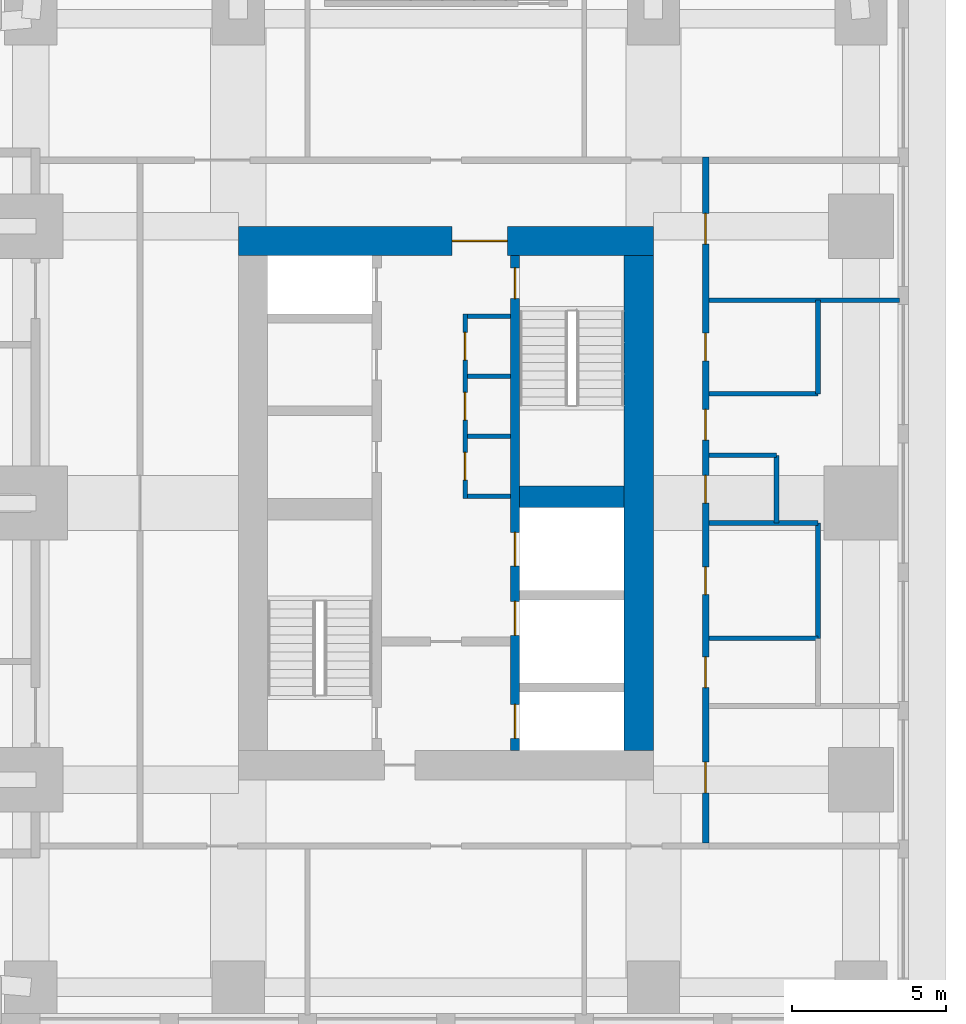
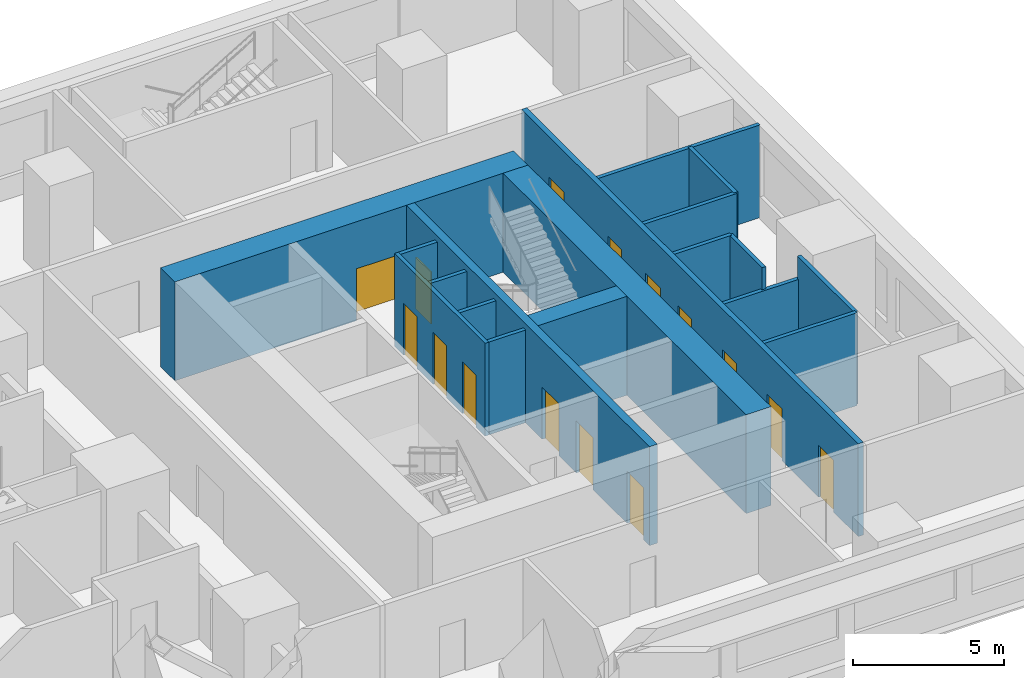
# One storey, part 11 of 16: 18 walls, 15 doors, 15 openings.
"""IFC4 building model written with IfcOpenShell, lengths in metres."""

import ifcopenshell
import ifcopenshell.guid

model = None  # the IFC model being written
_history = None  # IfcOwnerHistory: only IFC2X3 demands one
_inside = {}  # id of a spatial element -> (the spatial element, [elements in it])
_under = {}  # id of a project, library or spatial element -> (it, [spatial elements below it])
_declared = {}  # id of a project -> (the project, [libraries it declares])
_typed = {}  # id of a type object -> (the type object, [elements of that type])
_made_of = {}  # id of a material, layer set ... -> (it, [elements and type objects made of it])


def new_model(schema):
    """Start an empty IFC model of exactly this schema.

    Asked for "IFC4X3", IfcOpenShell would pick the latest addendum, in which some entities
    have other attributes; the version numbers below select the first issue.
    IFC2X3 requires an IfcOwnerHistory on every rooted entity: one is made here for all.
    """
    global model, _history
    if schema == "IFC4X3":
        model = ifcopenshell.file(schema_version=(4, 3, 0, 0))
    else:
        model = ifcopenshell.file(schema=schema)
    _inside.clear()
    _under.clear()
    _declared.clear()
    _typed.clear()
    _made_of.clear()
    _history = None
    if model.schema == "IFC2X3":
        org = make("IfcOrganization", Name="unknown")
        user = make(
            "IfcPersonAndOrganization",
            ThePerson=make("IfcPerson", FamilyName="unknown"),
            TheOrganization=org,
        )
        app = make(
            "IfcApplication",
            ApplicationDeveloper=org,
            Version="unknown",
            ApplicationFullName="unknown",
            ApplicationIdentifier="unknown",
        )
        _history = make(
            "IfcOwnerHistory",
            OwningUser=user,
            OwningApplication=app,
            ChangeAction="ADDED",
            CreationDate=0,
        )
    return model


def make(cls, **values):
    """One entity of the class cls with the attributes given. An attribute that is None is left unset."""
    return model.create_entity(
        cls, **{name: value for name, value in values.items() if value is not None}
    )


def rooted(cls, **values):
    """An entity with a GlobalId (a new one), such as an element, a storey or a relation."""
    return make(cls, GlobalId=ifcopenshell.guid.new(), OwnerHistory=_history, **values)


def si_unit(unit_type, name, prefix=None):
    """IfcSIUnit, for example si_unit("LENGTHUNIT", "METRE", prefix="MILLI")."""
    return make("IfcSIUnit", UnitType=unit_type, Prefix=prefix, Name=name)


def assignment(units):
    """IfcUnitAssignment: the units of a project."""
    return None if units is None else make("IfcUnitAssignment", Units=units)


def point(xyz):
    """IfcCartesianPoint."""
    return None if xyz is None else make("IfcCartesianPoint", Coordinates=xyz)


def direction(xyz):
    """IfcDirection."""
    return None if xyz is None else make("IfcDirection", DirectionRatios=xyz)


def frame(location, z_axis=None, x_axis=None):
    """IfcAxis2Placement3D, a coordinate frame: its origin and axes. An axis left out is left unset."""
    return make(
        "IfcAxis2Placement3D",
        Location=point(location),
        Axis=direction(z_axis),
        RefDirection=direction(x_axis),
    )


def frame_2d(location, x_axis=None):
    """IfcAxis2Placement2D, a coordinate frame in the plane: its origin and x axis."""
    return make(
        "IfcAxis2Placement2D", Location=point(location), RefDirection=direction(x_axis)
    )


def origin():
    """The frame at (0, 0, 0) with its axes left unset."""
    return frame((0.0, 0.0, 0.0))


def place(relative_to, where):
    """IfcLocalPlacement: puts the frame where relative to a parent placement (None: the world)."""
    return make(
        "IfcLocalPlacement", PlacementRelTo=relative_to, RelativePlacement=where
    )


def context(
    kind, dimensions, precision=None, world=None, true_north=None, identifier=None
):
    """IfcGeometricRepresentationContext, for example the 3D "Model" context."""
    return make(
        "IfcGeometricRepresentationContext",
        ContextIdentifier=identifier,
        ContextType=kind,
        CoordinateSpaceDimension=dimensions,
        Precision=precision,
        WorldCoordinateSystem=world,
        TrueNorth=true_north,
    )


def subcontext(parent, identifier, kind, view, scale=None):
    """IfcGeometricRepresentationSubContext, for example "Body" below "Model"."""
    return make(
        "IfcGeometricRepresentationSubContext",
        ContextIdentifier=identifier,
        ContextType=kind,
        ParentContext=parent,
        TargetScale=scale,
        TargetView=view,
    )


def project(units=None, contexts=None):
    """IfcProject with its units and contexts."""
    return rooted(
        "IfcProject",
        Name="project",
        RepresentationContexts=contexts,
        UnitsInContext=assignment(units),
    )


def spatial(cls, under=None, at=None, **own):
    """A site, building, storey or space (cls), placed at a placement, below another one or the project."""
    s = rooted(cls, ObjectPlacement=at, **own)
    if under is not None:
        _under.setdefault(under.id(), (under, []))[1].append(s)
    return s


def profile(cls, at=None, kind="AREA", **sizes):
    """A parametric profile (cls). Its sizes go by their IFC names, for example OverallWidth=200.0."""
    return make(cls, ProfileType=kind, Position=at, **sizes)


def rectangle(**sizes):
    """IfcRectangleProfileDef."""
    return profile("IfcRectangleProfileDef", **sizes)


def extrude(swept, where, along, depth):
    """IfcExtrudedAreaSolid: the profile swept, set in the frame where, extruded along a direction by depth."""
    return make(
        "IfcExtrudedAreaSolid",
        SweptArea=swept,
        Position=where,
        ExtrudedDirection=direction(along),
        Depth=depth,
    )


def shape(context_of_items, identifier, shape_type, items):
    """IfcShapeRepresentation: the items that make up one representation, for example the "Body"."""
    return make(
        "IfcShapeRepresentation",
        ContextOfItems=context_of_items,
        RepresentationIdentifier=identifier,
        RepresentationType=shape_type,
        Items=items,
    )


def material(Name=None, Category=None):
    """IfcMaterial."""
    return make("IfcMaterial", Name=Name, Category=Category)


def layer(
    of_material, thickness, ventilated=None, Name=None, Category=None, Priority=None
):
    """IfcMaterialLayer: one layer of a wall or slab, of a material (None: an air gap)."""
    return make(
        "IfcMaterialLayer",
        Material=of_material,
        LayerThickness=thickness,
        IsVentilated=ventilated,
        Name=Name,
        Category=Category,
        Priority=Priority,
    )


def layer_set(layers, Name=None):
    """IfcMaterialLayerSet."""
    return make("IfcMaterialLayerSet", MaterialLayers=layers, LayerSetName=Name)


def made_of(thing, what):
    """Note that an element or type object is made of a material, layer set ...; save() writes the relation."""
    if what is not None:
        _made_of.setdefault(what.id(), (what, []))[1].append(thing)
    return thing


def type_object(cls, material=None, **own):
    """A type object (cls), such as IfcWallType, which elements share."""
    return made_of(rooted(cls, **own), material)


def element(
    cls,
    number,
    at=None,
    inside=None,
    cuts=None,
    type_object=None,
    material=None,
    context=None,
    identifier="Body",
    shape_type=None,
    held_by="IfcProductDefinitionShape",
    body=None,
    shapes=None,
    **own,
):
    """One element of the class cls, such as IfcWall. Its Tag is "e" and its number.

    at: its placement. inside: the storey or other place that contains it. cuts: it is an
    opening in that element (IfcRelVoidsElement). A single representation is given by context,
    identifier, shape_type and body (its items); several are given by shapes. held_by: the class
    of the entity that holds the representations. save() writes the other relations.
    """
    e = rooted(cls, Tag="e%d" % number, ObjectPlacement=at, **own)
    if body is not None:
        shapes = [shape(context, identifier, shape_type, body)]
    if shapes is not None:
        e.Representation = make(held_by, Representations=shapes)
    if inside is not None:
        _inside.setdefault(inside.id(), (inside, []))[1].append(e)
    if cuts is not None:
        rooted(
            "IfcRelVoidsElement", RelatingBuildingElement=cuts, RelatedOpeningElement=e
        )
    if type_object is not None:
        _typed.setdefault(type_object.id(), (type_object, []))[1].append(e)
    return made_of(e, material)


def fill(opening, filler):
    """IfcRelFillsElement: the door or window that sits in an opening."""
    return rooted(
        "IfcRelFillsElement",
        RelatingOpeningElement=opening,
        RelatedBuildingElement=filler,
    )


def aggregate(whole, parts):
    """IfcRelAggregates: a whole, such as a stair, and the parts it consists of."""
    return rooted("IfcRelAggregates", RelatingObject=whole, RelatedObjects=parts)


def save(model, path):
    """Write the relations noted so far, then the file.

    IfcRelAggregates (storeys below a building ...), IfcRelContainedInSpatialStructure (elements
    in a storey), IfcRelDefinesByType, IfcRelAssociatesMaterial and IfcRelDeclares: one each for
    every whole, place, type object, material and project.
    """
    for whole, parts in _under.values():
        aggregate(whole, parts)
    for where, things in _inside.values():
        rooted(
            "IfcRelContainedInSpatialStructure",
            RelatedElements=things,
            RelatingStructure=where,
        )
    for kind, things in _typed.values():
        rooted("IfcRelDefinesByType", RelatedObjects=things, RelatingType=kind)
    for what, things in _made_of.values():
        rooted("IfcRelAssociatesMaterial", RelatedObjects=things, RelatingMaterial=what)
    for by, libraries in _declared.values():
        rooted("IfcRelDeclares", RelatingContext=by, RelatedDefinitions=libraries)
    model.write(path)


model = new_model("IFC4")

# Units and contexts
model_context = context("Model", 3, precision=1e-05, world=origin(), true_north=direction((0.0, 1.0)))
body_context = subcontext(model_context, "Body", "Model", "MODEL_VIEW")
ifc_project = project(units=[si_unit("LENGTHUNIT", "METRE"), si_unit("AREAUNIT", "SQUARE_METRE"), si_unit("VOLUMEUNIT", "CUBIC_METRE"), si_unit("PLANEANGLEUNIT", "RADIAN"), si_unit("MASSUNIT", "GRAM", prefix="KILO")], contexts=[model_context])

# Site, building, storey
site_placement = place(None, origin())
site = spatial("IfcSite", under=ifc_project, at=site_placement, CompositionType="ELEMENT")
building_placement = place(site_placement, origin())
building = spatial("IfcBuilding", under=site, at=building_placement, Name="Namib Vertical Campus", CompositionType="ELEMENT")
storey_placement = place(building_placement, frame((0.0, 0.0, 121.0)))
storey = spatial("IfcBuildingStorey", under=building, at=storey_placement, Name="L28", CompositionType="ELEMENT", Elevation=121.0)

# Wall, openings, doors
ifc_material_1 = material(Name="Concrete C60/75", Category="concrete")
ifc_layer_1 = layer(ifc_material_1, 0.300048828125)
ifc_layer_set_1 = layer_set([ifc_layer_1], Name="Concrete C60/75")
wall_type_1 = type_object("IfcWallType", Name="Core inner wall 300", PredefinedType="SHEAR", material=ifc_layer_set_1)
wall_1_placement = place(storey_placement, frame((83.25, 12.199951171875, 0.0), z_axis=(0.0, 0.0, 1.0), x_axis=(0.0, 1.0, 0.0)))
wall_1 = element("IfcWall", 1, at=wall_1_placement, inside=storey, type_object=wall_type_1, Name="Core inner wall B L28 W2", PredefinedType="SHEAR", context=body_context, shape_type="SweptSolid", body=[
    extrude(rectangle(XDim=16.10009765625, YDim=0.300048828125, at=frame_2d((8.050048828125, 0.0))), origin(), (0.0, 0.0, 1.0), 4.0),
])
opening_1_placement = place(wall_1_placement, frame((14.699951171875, 0.0, 0.0)))
opening_1 = element("IfcOpeningElement", 2, at=opening_1_placement, cuts=wall_1, Name="Opening FD1", PredefinedType="OPENING", context=body_context, shape_type="SweptSolid", body=[
    extrude(rectangle(XDim=1.0, YDim=2.10009765625, at=frame_2d((0.5, 1.050048828125))), frame((0.0, 0.159912109375, 0.0), z_axis=(0.0, -1.0, 0.0), x_axis=(1.0, 0.0, 0.0)), (0.0, 0.0, 1.0), 0.320068359375),
])
opening_2_placement = place(wall_1_placement, frame((0.39990234375, 0.0, 0.0)))
opening_2 = element("IfcOpeningElement", 3, at=opening_2_placement, cuts=wall_1, Name="Opening LD1", PredefinedType="OPENING", context=body_context, shape_type="SweptSolid", body=[
    extrude(rectangle(XDim=1.10009765625, YDim=2.10009765625, at=frame_2d((0.550048828125, 1.050048828125))), frame((0.0, 0.159912109375, 0.0), z_axis=(0.0, -1.0, 0.0), x_axis=(1.0, 0.0, 0.0)), (0.0, 0.0, 1.0), 0.320068359375),
])
opening_3_placement = place(wall_1_placement, frame((3.75, 0.0, 0.0)))
opening_3 = element("IfcOpeningElement", 4, at=opening_3_placement, cuts=wall_1, Name="Opening LD1", PredefinedType="OPENING", context=body_context, shape_type="SweptSolid", body=[
    extrude(rectangle(XDim=1.10009765625, YDim=2.10009765625, at=frame_2d((0.550048828125, 1.050048828125))), frame((0.0, 0.159912109375, 0.0), z_axis=(0.0, -1.0, 0.0), x_axis=(1.0, 0.0, 0.0)), (0.0, 0.0, 1.0), 0.320068359375),
])
opening_4_placement = place(wall_1_placement, frame((6.0, 0.0, 0.0)))
opening_4 = element("IfcOpeningElement", 5, at=opening_4_placement, cuts=wall_1, Name="Opening LD1", PredefinedType="OPENING", context=body_context, shape_type="SweptSolid", body=[
    extrude(rectangle(XDim=1.10009765625, YDim=2.10009765625, at=frame_2d((0.550048828125, 1.050048828125))), frame((0.0, 0.159912109375, 0.0), z_axis=(0.0, -1.0, 0.0), x_axis=(1.0, 0.0, 0.0)), (0.0, 0.0, 1.0), 0.320068359375),
])
ifc_material_2 = material(Name="Steel fire door", Category="steel")
door_type_1 = type_object("IfcDoorType", Name="Fire door 1000x2100", OperationType="SINGLE_SWING_RIGHT", PredefinedType="DOOR", material=ifc_material_2)
door_1_placement = place(opening_1_placement, frame((1.0, 0.0, 0.0), z_axis=(0.0, 0.0, 1.0), x_axis=(-1.0, 0.0, 0.0)))
door_1 = element("IfcDoor", 6, at=door_1_placement, inside=storey, type_object=door_type_1, Name="Stair door FD1 B L28 S2", OperationType="SINGLE_SWING_LEFT", OverallHeight=2.10009765625, OverallWidth=1.0, PredefinedType="DOOR", context=body_context, shape_type="SweptSolid", body=[
    extrude(rectangle(XDim=1.0, YDim=2.10009765625, at=frame_2d((0.5, 1.050048828125))), frame((0.0, 0.02490234375, 0.0), z_axis=(0.0, -1.0, 0.0), x_axis=(1.0, 0.0, 0.0)), (0.0, 0.0, 1.0), 0.050048828125),
])
fill(opening_1, door_1)
ifc_material_3 = material(Name="Stainless steel lift door", Category="steel")
door_type_2 = type_object("IfcDoorType", Name="Lift landing door 1100x2100", OperationType="DOUBLE_DOOR_SLIDING", PredefinedType="DOOR", material=ifc_material_3)
door_2_placement = place(opening_2_placement, origin())
door_2 = element("IfcDoor", 7, at=door_2_placement, inside=storey, type_object=door_type_2, Name="Lift landing door LD1 B-FL1 L28", OperationType="DOUBLE_DOOR_SLIDING", OverallHeight=2.10009765625, OverallWidth=1.10009765625, PredefinedType="DOOR", context=body_context, shape_type="SweptSolid", body=[
    extrude(rectangle(XDim=1.10009765625, YDim=2.10009765625, at=frame_2d((0.550048828125, 1.050048828125))), frame((0.0, 0.02490234375, 0.0), z_axis=(0.0, -1.0, 0.0), x_axis=(1.0, 0.0, 0.0)), (0.0, 0.0, 1.0), 0.050048828125),
])
fill(opening_2, door_2)
door_3_placement = place(opening_3_placement, origin())
door_3 = element("IfcDoor", 8, at=door_3_placement, inside=storey, type_object=door_type_2, Name="Lift landing door LD1 B-P4 L28", OperationType="DOUBLE_DOOR_SLIDING", OverallHeight=2.10009765625, OverallWidth=1.10009765625, PredefinedType="DOOR", context=body_context, shape_type="SweptSolid", body=[
    extrude(rectangle(XDim=1.10009765625, YDim=2.10009765625, at=frame_2d((0.550048828125, 1.050048828125))), frame((0.0, 0.02490234375, 0.0), z_axis=(0.0, -1.0, 0.0), x_axis=(1.0, 0.0, 0.0)), (0.0, 0.0, 1.0), 0.050048828125),
])
fill(opening_3, door_3)
door_4_placement = place(opening_4_placement, origin())
door_4 = element("IfcDoor", 9, at=door_4_placement, inside=storey, type_object=door_type_2, Name="Lift landing door LD1 B-P5 L28", OperationType="DOUBLE_DOOR_SLIDING", OverallHeight=2.10009765625, OverallWidth=1.10009765625, PredefinedType="DOOR", context=body_context, shape_type="SweptSolid", body=[
    extrude(rectangle(XDim=1.10009765625, YDim=2.10009765625, at=frame_2d((0.550048828125, 1.050048828125))), frame((0.0, 0.02490234375, 0.0), z_axis=(0.0, -1.0, 0.0), x_axis=(1.0, 0.0, 0.0)), (0.0, 0.0, 1.0), 0.050048828125),
])
fill(opening_4, door_4)

# Walls
ifc_material_4 = material(Name="Concrete C60/75", Category="concrete")
ifc_layer_2 = layer(ifc_material_4, 0.699951171875)
ifc_layer_set_2 = layer_set([ifc_layer_2], Name="Concrete C60/75")
wall_type_2 = type_object("IfcWallType", Name="Core shear wall 700", PredefinedType="SHEAR", material=ifc_layer_set_2)
wall_2_placement = place(storey_placement, frame((83.39990234375, 20.449951171875, 0.0), z_axis=(0.0, 0.0, 1.0), x_axis=(1.0, 0.0, 0.0)))
element("IfcWall", 10, at=wall_2_placement, inside=storey, type_object=wall_type_2, Name="Core shear wall B L28 W7", PredefinedType="SHEAR", context=body_context, shape_type="SweptSolid", body=[
    extrude(rectangle(XDim=3.400146484375, YDim=0.699951171875, at=frame_2d((1.7001953125, 0.0))), origin(), (0.0, 0.0, 1.0), 4.0),
])
ifc_material_5 = material(Name="Concrete C60/75", Category="concrete")
ifc_layer_3 = layer(ifc_material_5, 0.949951171875)
ifc_layer_set_3 = layer_set([ifc_layer_3], Name="Concrete C60/75")
wall_type_3 = type_object("IfcWallType", Name="Core wall 950", PredefinedType="SHEAR", material=ifc_layer_set_3)
wall_3_placement = place(storey_placement, frame((87.27490234375, 12.199951171875, 0.0), z_axis=(0.0, 0.0, 1.0), x_axis=(0.0, 1.0, 0.0)))
element("IfcWall", 11, at=wall_3_placement, inside=storey, type_object=wall_type_3, Name="Core wall B L28 2", PredefinedType="SHEAR", context=body_context, shape_type="SweptSolid", body=[
    extrude(rectangle(XDim=16.10009765625, YDim=0.949951171875, at=frame_2d((8.050048828125, 0.0))), origin(), (0.0, 0.0, 1.0), 4.0),
])

# Wall, opening, door
wall_4_placement = place(storey_placement, frame((87.75, 28.77490234375, 0.0), z_axis=(0.0, 0.0, 1.0), x_axis=(-1.0, 0.0, 0.0)))
wall_4 = element("IfcWall", 12, at=wall_4_placement, inside=storey, type_object=wall_type_3, Name="Core wall B L28 3", PredefinedType="SHEAR", context=body_context, shape_type="SweptSolid", body=[
    extrude(rectangle(XDim=13.5, YDim=0.949951171875, at=frame_2d((6.75, 0.0))), origin(), (0.0, 0.0, 1.0), 4.0),
])
opening_5_placement = place(wall_4_placement, frame((4.75, 0.0, 0.0)))
opening_5 = element("IfcOpeningElement", 13, at=opening_5_placement, cuts=wall_4, Name="Opening FD2", PredefinedType="OPENING", context=body_context, shape_type="SweptSolid", body=[
    extrude(rectangle(XDim=1.800048828125, YDim=2.10009765625, at=frame_2d((0.89990234375, 1.050048828125))), frame((0.0, 0.48486328125, 0.0), z_axis=(0.0, -1.0, 0.0), x_axis=(1.0, 0.0, 0.0)), (0.0, 0.0, 1.0), 0.969970703125),
])
ifc_material_6 = material(Name="Steel fire door", Category="steel")
door_type_3 = type_object("IfcDoorType", Name="Fire door double 1800x2100", OperationType="DOUBLE_DOOR_SINGLE_SWING", PredefinedType="DOOR", material=ifc_material_6)
door_5_placement = place(opening_5_placement, origin())
door_5 = element("IfcDoor", 14, at=door_5_placement, inside=storey, type_object=door_type_3, Name="Lift lobby door FD2 B L28", OperationType="DOUBLE_DOOR_SINGLE_SWING", OverallHeight=2.10009765625, OverallWidth=1.800048828125, PredefinedType="DOOR", context=body_context, shape_type="SweptSolid", body=[
    extrude(rectangle(XDim=1.800048828125, YDim=2.10009765625, at=frame_2d((0.89990234375, 1.050048828125))), frame((0.0, 0.02490234375, 0.0), z_axis=(0.0, -1.0, 0.0), x_axis=(1.0, 0.0, 0.0)), (0.0, 0.0, 1.0), 0.050048828125),
])
fill(opening_5, door_5)

# Wall, openings, doors
ifc_material_7 = material(Name="Concrete masonry", Category="masonry")
ifc_layer_4 = layer(ifc_material_7, 0.199951171875)
ifc_layer_set_4 = layer_set([ifc_layer_4], Name="Corridor wall 200")
wall_type_4 = type_object("IfcWallType", Name="Corridor wall 200", PredefinedType="SOLIDWALL", material=ifc_layer_set_4)
wall_5_placement = place(storey_placement, frame((89.449951171875, 9.199951171875, 0.0), z_axis=(0.0, 0.0, 1.0), x_axis=(0.0, 1.0, 0.0)))
wall_5 = element("IfcWall", 15, at=wall_5_placement, inside=storey, type_object=wall_type_4, Name="Corridor wall B L28 CE", PredefinedType="SOLIDWALL", context=body_context, shape_type="SweptSolid", body=[
    extrude(rectangle(XDim=22.300048828125, YDim=0.199951171875, at=frame_2d((11.14990234375, 0.0))), origin(), (0.0, 0.0, 1.0), 3.75),
])
opening_6_placement = place(wall_5_placement, frame((1.625, 0.0, 0.0)))
opening_6 = element("IfcOpeningElement", 16, at=opening_6_placement, cuts=wall_5, Name="Opening CD1", PredefinedType="OPENING", context=body_context, shape_type="SweptSolid", body=[
    extrude(rectangle(XDim=1.0, YDim=2.10009765625, at=frame_2d((0.5, 1.050048828125))), frame((0.0, 0.10986328125, 0.0), z_axis=(0.0, -1.0, 0.0), x_axis=(1.0, 0.0, 0.0)), (0.0, 0.0, 1.0), 0.219970703125),
])
opening_7_placement = place(wall_5_placement, frame((5.050048828125, 0.0, 0.0)))
opening_7 = element("IfcOpeningElement", 17, at=opening_7_placement, cuts=wall_5, Name="Opening CD1", PredefinedType="OPENING", context=body_context, shape_type="SweptSolid", body=[
    extrude(rectangle(XDim=1.0, YDim=2.10009765625, at=frame_2d((0.5, 1.050048828125))), frame((0.0, 0.10986328125, 0.0), z_axis=(0.0, -1.0, 0.0), x_axis=(1.0, 0.0, 0.0)), (0.0, 0.0, 1.0), 0.219970703125),
])
opening_8_placement = place(wall_5_placement, frame((8.074951171875, 0.0, 0.0)))
opening_8 = element("IfcOpeningElement", 18, at=opening_8_placement, cuts=wall_5, Name="Opening CD3", PredefinedType="OPENING", context=body_context, shape_type="SweptSolid", body=[
    extrude(rectangle(XDim=0.89990234375, YDim=2.10009765625, at=frame_2d((0.449951171875, 1.050048828125))), frame((0.0, 0.10986328125, 0.0), z_axis=(0.0, -1.0, 0.0), x_axis=(1.0, 0.0, 0.0)), (0.0, 0.0, 1.0), 0.219970703125),
])
opening_9_placement = place(wall_5_placement, frame((11.050048828125, 0.0, 0.0)))
opening_9 = element("IfcOpeningElement", 19, at=opening_9_placement, cuts=wall_5, Name="Opening CD3", PredefinedType="OPENING", context=body_context, shape_type="SweptSolid", body=[
    extrude(rectangle(XDim=0.89990234375, YDim=2.10009765625, at=frame_2d((0.449951171875, 1.050048828125))), frame((0.0, 0.10986328125, 0.0), z_axis=(0.0, -1.0, 0.0), x_axis=(1.0, 0.0, 0.0)), (0.0, 0.0, 1.0), 0.219970703125),
])
opening_10_placement = place(wall_5_placement, frame((15.675048828125, 0.0, 0.0)))
opening_10 = element("IfcOpeningElement", 20, at=opening_10_placement, cuts=wall_5, Name="Opening CD3", PredefinedType="OPENING", context=body_context, shape_type="SweptSolid", body=[
    extrude(rectangle(XDim=0.89990234375, YDim=2.10009765625, at=frame_2d((0.449951171875, 1.050048828125))), frame((0.0, 0.10986328125, 0.0), z_axis=(0.0, -1.0, 0.0), x_axis=(1.0, 0.0, 0.0)), (0.0, 0.0, 1.0), 0.219970703125),
])
opening_11_placement = place(wall_5_placement, frame((13.10009765625, 0.0, 0.0)))
opening_11 = element("IfcOpeningElement", 21, at=opening_11_placement, cuts=wall_5, Name="Opening CD1", PredefinedType="OPENING", context=body_context, shape_type="SweptSolid", body=[
    extrude(rectangle(XDim=1.0, YDim=2.10009765625, at=frame_2d((0.5, 1.050048828125))), frame((0.0, 0.10986328125, 0.0), z_axis=(0.0, -1.0, 0.0), x_axis=(1.0, 0.0, 0.0)), (0.0, 0.0, 1.0), 0.219970703125),
])
opening_12_placement = place(wall_5_placement, frame((19.47509765625, 0.0, 0.0)))
opening_12 = element("IfcOpeningElement", 22, at=opening_12_placement, cuts=wall_5, Name="Opening CD1", PredefinedType="OPENING", context=body_context, shape_type="SweptSolid", body=[
    extrude(rectangle(XDim=1.0, YDim=2.10009765625, at=frame_2d((0.5, 1.050048828125))), frame((0.0, 0.10986328125, 0.0), z_axis=(0.0, -1.0, 0.0), x_axis=(1.0, 0.0, 0.0)), (0.0, 0.0, 1.0), 0.219970703125),
])
ifc_material_8 = material(Name="Timber fire door leaf", Category="wood")
door_type_4 = type_object("IfcDoorType", Name="Corridor door 1000x2100 20 min", OperationType="SINGLE_SWING_LEFT", PredefinedType="DOOR", material=ifc_material_8)
door_6_placement = place(opening_6_placement, frame((1.0, 0.0, 0.0), z_axis=(0.0, 0.0, 1.0), x_axis=(-1.0, 0.0, 0.0)))
door_6 = element("IfcDoor", 23, at=door_6_placement, inside=storey, type_object=door_type_4, Name="Door CD1 B28-04", OperationType="SINGLE_SWING_RIGHT", OverallHeight=2.10009765625, OverallWidth=1.0, PredefinedType="DOOR", context=body_context, shape_type="SweptSolid", body=[
    extrude(rectangle(XDim=1.0, YDim=2.10009765625, at=frame_2d((0.5, 1.050048828125))), frame((0.0, 0.02490234375, 0.0), z_axis=(0.0, -1.0, 0.0), x_axis=(1.0, 0.0, 0.0)), (0.0, 0.0, 1.0), 0.050048828125),
])
fill(opening_6, door_6)
door_7_placement = place(opening_7_placement, frame((1.0, 0.0, 0.0), z_axis=(0.0, 0.0, 1.0), x_axis=(-1.0, 0.0, 0.0)))
door_7 = element("IfcDoor", 24, at=door_7_placement, inside=storey, type_object=door_type_4, Name="Door CD1 B28-05", OperationType="SINGLE_SWING_RIGHT", OverallHeight=2.10009765625, OverallWidth=1.0, PredefinedType="DOOR", context=body_context, shape_type="SweptSolid", body=[
    extrude(rectangle(XDim=1.0, YDim=2.10009765625, at=frame_2d((0.5, 1.050048828125))), frame((0.0, 0.02490234375, 0.0), z_axis=(0.0, -1.0, 0.0), x_axis=(1.0, 0.0, 0.0)), (0.0, 0.0, 1.0), 0.050048828125),
])
fill(opening_7, door_7)
door_8_placement = place(opening_11_placement, frame((1.0, 0.0, 0.0), z_axis=(0.0, 0.0, 1.0), x_axis=(-1.0, 0.0, 0.0)))
door_8 = element("IfcDoor", 25, at=door_8_placement, inside=storey, type_object=door_type_4, Name="Door CD1 B28-09", OperationType="SINGLE_SWING_RIGHT", OverallHeight=2.10009765625, OverallWidth=1.0, PredefinedType="DOOR", context=body_context, shape_type="SweptSolid", body=[
    extrude(rectangle(XDim=1.0, YDim=2.10009765625, at=frame_2d((0.5, 1.050048828125))), frame((0.0, 0.02490234375, 0.0), z_axis=(0.0, -1.0, 0.0), x_axis=(1.0, 0.0, 0.0)), (0.0, 0.0, 1.0), 0.050048828125),
])
fill(opening_11, door_8)
door_9_placement = place(opening_12_placement, frame((1.0, 0.0, 0.0), z_axis=(0.0, 0.0, 1.0), x_axis=(-1.0, 0.0, 0.0)))
door_9 = element("IfcDoor", 26, at=door_9_placement, inside=storey, type_object=door_type_4, Name="Door CD1 B28-10", OperationType="SINGLE_SWING_RIGHT", OverallHeight=2.10009765625, OverallWidth=1.0, PredefinedType="DOOR", context=body_context, shape_type="SweptSolid", body=[
    extrude(rectangle(XDim=1.0, YDim=2.10009765625, at=frame_2d((0.5, 1.050048828125))), frame((0.0, 0.02490234375, 0.0), z_axis=(0.0, -1.0, 0.0), x_axis=(1.0, 0.0, 0.0)), (0.0, 0.0, 1.0), 0.050048828125),
])
fill(opening_12, door_9)
ifc_material_9 = material(Name="Timber fire door leaf", Category="wood")
door_type_5 = type_object("IfcDoorType", Name="Corridor toilet door 900x2100 20 min", OperationType="SINGLE_SWING_LEFT", PredefinedType="DOOR", material=ifc_material_9)
door_10_placement = place(opening_8_placement, frame((0.89990234375, 0.0, 0.0), z_axis=(0.0, 0.0, 1.0), x_axis=(-1.0, 0.0, 0.0)))
door_10 = element("IfcDoor", 27, at=door_10_placement, inside=storey, type_object=door_type_5, Name="Door CD3 B28-06", OperationType="SINGLE_SWING_RIGHT", OverallHeight=2.10009765625, OverallWidth=0.89990234375, PredefinedType="DOOR", context=body_context, shape_type="SweptSolid", body=[
    extrude(rectangle(XDim=0.89990234375, YDim=2.10009765625, at=frame_2d((0.449951171875, 1.050048828125))), frame((0.0, 0.02490234375, 0.0), z_axis=(0.0, -1.0, 0.0), x_axis=(1.0, 0.0, 0.0)), (0.0, 0.0, 1.0), 0.050048828125),
])
fill(opening_8, door_10)
door_11_placement = place(opening_9_placement, frame((0.89990234375, 0.0, 0.0), z_axis=(0.0, 0.0, 1.0), x_axis=(-1.0, 0.0, 0.0)))
door_11 = element("IfcDoor", 28, at=door_11_placement, inside=storey, type_object=door_type_5, Name="Door CD3 B28-07", OperationType="SINGLE_SWING_RIGHT", OverallHeight=2.10009765625, OverallWidth=0.89990234375, PredefinedType="DOOR", context=body_context, shape_type="SweptSolid", body=[
    extrude(rectangle(XDim=0.89990234375, YDim=2.10009765625, at=frame_2d((0.449951171875, 1.050048828125))), frame((0.0, 0.02490234375, 0.0), z_axis=(0.0, -1.0, 0.0), x_axis=(1.0, 0.0, 0.0)), (0.0, 0.0, 1.0), 0.050048828125),
])
fill(opening_9, door_11)
door_12_placement = place(opening_10_placement, frame((0.89990234375, 0.0, 0.0), z_axis=(0.0, 0.0, 1.0), x_axis=(-1.0, 0.0, 0.0)))
door_12 = element("IfcDoor", 29, at=door_12_placement, inside=storey, type_object=door_type_5, Name="Door CD3 B28-08", OperationType="SINGLE_SWING_RIGHT", OverallHeight=2.10009765625, OverallWidth=0.89990234375, PredefinedType="DOOR", context=body_context, shape_type="SweptSolid", body=[
    extrude(rectangle(XDim=0.89990234375, YDim=2.10009765625, at=frame_2d((0.449951171875, 1.050048828125))), frame((0.0, 0.02490234375, 0.0), z_axis=(0.0, -1.0, 0.0), x_axis=(1.0, 0.0, 0.0)), (0.0, 0.0, 1.0), 0.050048828125),
])
fill(opening_10, door_12)

ifc_material_10 = material(Name="Gypsum board on steel studs", Category="steel")
ifc_layer_5 = layer(ifc_material_10, 0.14990234375)
ifc_layer_set_5 = layer_set([ifc_layer_5], Name="Gypsum board on steel studs")
wall_type_5 = type_object("IfcWallType", Name="Partition 150", PredefinedType="PARTITIONING", material=ifc_layer_set_5)
wall_6_placement = place(storey_placement, frame((81.625, 20.39990234375, 0.0), z_axis=(0.0, 0.0, 1.0), x_axis=(0.0, 1.0, 0.0)))
wall_6 = element("IfcWall", 30, at=wall_6_placement, inside=storey, type_object=wall_type_5, Name="Partition B L28 Records store and Cleaners' store and Linen store front", PredefinedType="PARTITIONING", context=body_context, shape_type="SweptSolid", body=[
    extrude(rectangle(XDim=6.0, YDim=0.14990234375, at=frame_2d((3.0, 0.0))), origin(), (0.0, 0.0, 1.0), 3.75),
])
opening_13_placement = place(wall_6_placement, frame((0.60009765625, 0.0, 0.0)))
opening_13 = element("IfcOpeningElement", 31, at=opening_13_placement, cuts=wall_6, Name="Opening D3", PredefinedType="OPENING", context=body_context, shape_type="SweptSolid", body=[
    extrude(rectangle(XDim=0.89990234375, YDim=2.10009765625, at=frame_2d((0.449951171875, 1.050048828125))), frame((0.0, 0.0849609375, 0.0), z_axis=(0.0, -1.0, 0.0), x_axis=(1.0, 0.0, 0.0)), (0.0, 0.0, 1.0), 0.169921875),
])
opening_14_placement = place(wall_6_placement, frame((2.550048828125, 0.0, 0.0)))
opening_14 = element("IfcOpeningElement", 32, at=opening_14_placement, cuts=wall_6, Name="Opening D3", PredefinedType="OPENING", context=body_context, shape_type="SweptSolid", body=[
    extrude(rectangle(XDim=0.89990234375, YDim=2.10009765625, at=frame_2d((0.449951171875, 1.050048828125))), frame((0.0, 0.0849609375, 0.0), z_axis=(0.0, -1.0, 0.0), x_axis=(1.0, 0.0, 0.0)), (0.0, 0.0, 1.0), 0.169921875),
])
opening_15_placement = place(wall_6_placement, frame((4.5, 0.0, 0.0)))
opening_15 = element("IfcOpeningElement", 33, at=opening_15_placement, cuts=wall_6, Name="Opening D3", PredefinedType="OPENING", context=body_context, shape_type="SweptSolid", body=[
    extrude(rectangle(XDim=0.89990234375, YDim=2.10009765625, at=frame_2d((0.449951171875, 1.050048828125))), frame((0.0, 0.0849609375, 0.0), z_axis=(0.0, -1.0, 0.0), x_axis=(1.0, 0.0, 0.0)), (0.0, 0.0, 1.0), 0.169921875),
])
ifc_material_11 = material(Name="Timber door leaf", Category="wood")
door_type_6 = type_object("IfcDoorType", Name="Toilet door 900x2100", OperationType="SINGLE_SWING_LEFT", PredefinedType="DOOR", material=ifc_material_11)
door_13_placement = place(opening_13_placement, frame((0.89990234375, 0.0, 0.0), z_axis=(0.0, 0.0, 1.0), x_axis=(-1.0, 0.0, 0.0)))
door_13 = element("IfcDoor", 34, at=door_13_placement, inside=storey, type_object=door_type_6, Name="Door D3 Records store B L28", OperationType="SINGLE_SWING_RIGHT", OverallHeight=2.10009765625, OverallWidth=0.89990234375, PredefinedType="DOOR", context=body_context, shape_type="SweptSolid", body=[
    extrude(rectangle(XDim=0.89990234375, YDim=2.10009765625, at=frame_2d((0.449951171875, 1.050048828125))), frame((0.0, 0.02490234375, 0.0), z_axis=(0.0, -1.0, 0.0), x_axis=(1.0, 0.0, 0.0)), (0.0, 0.0, 1.0), 0.050048828125),
])
fill(opening_13, door_13)
door_14_placement = place(opening_14_placement, frame((0.89990234375, 0.0, 0.0), z_axis=(0.0, 0.0, 1.0), x_axis=(-1.0, 0.0, 0.0)))
door_14 = element("IfcDoor", 35, at=door_14_placement, inside=storey, type_object=door_type_6, Name="Door D3 Cleaners' store B L28", OperationType="SINGLE_SWING_RIGHT", OverallHeight=2.10009765625, OverallWidth=0.89990234375, PredefinedType="DOOR", context=body_context, shape_type="SweptSolid", body=[
    extrude(rectangle(XDim=0.89990234375, YDim=2.10009765625, at=frame_2d((0.449951171875, 1.050048828125))), frame((0.0, 0.02490234375, 0.0), z_axis=(0.0, -1.0, 0.0), x_axis=(1.0, 0.0, 0.0)), (0.0, 0.0, 1.0), 0.050048828125),
])
fill(opening_14, door_14)
door_15_placement = place(opening_15_placement, frame((0.89990234375, 0.0, 0.0), z_axis=(0.0, 0.0, 1.0), x_axis=(-1.0, 0.0, 0.0)))
door_15 = element("IfcDoor", 36, at=door_15_placement, inside=storey, type_object=door_type_6, Name="Door D3 Linen store B L28", OperationType="SINGLE_SWING_RIGHT", OverallHeight=2.10009765625, OverallWidth=0.89990234375, PredefinedType="DOOR", context=body_context, shape_type="SweptSolid", body=[
    extrude(rectangle(XDim=0.89990234375, YDim=2.10009765625, at=frame_2d((0.449951171875, 1.050048828125))), frame((0.0, 0.02490234375, 0.0), z_axis=(0.0, -1.0, 0.0), x_axis=(1.0, 0.0, 0.0)), (0.0, 0.0, 1.0), 0.050048828125),
])
fill(opening_15, door_15)

# Walls
for number, where, z_axis, x_axis, name in (
    (37, (81.699951171875, 20.47509765625, 0.0), (0.0, 0.0, 1.0), (1.0, 0.0, 0.0), "Partition B L28 Records store and Cleaners' store and Linen store end 1"),
    (38, (81.699951171875, 22.425048828125, 0.0), (0.0, 0.0, 1.0), (1.0, 0.0, 0.0), "Partition B L28 Records store and Cleaners' store and Linen store division 2"),
    (39, (81.699951171875, 24.375, 0.0), (0.0, 0.0, 1.0), (1.0, 0.0, 0.0), "Partition B L28 Records store and Cleaners' store and Linen store division 3"),
    (40, (81.699951171875, 26.324951171875, 0.0), (0.0, 0.0, 1.0), (1.0, 0.0, 0.0), "Partition B L28 Records store and Cleaners' store and Linen store end 4"),
):
    element("IfcWall", number, at=place(storey_placement, frame(where, z_axis=z_axis, x_axis=x_axis)), inside=storey, type_object=wall_type_5, Name=name, PredefinedType="PARTITIONING", context=body_context, shape_type="SweptSolid", body=[
        extrude(rectangle(XDim=1.400146484375, YDim=0.14990234375, at=frame_2d((0.7001953125, 0.0))), origin(), (0.0, 0.0, 1.0), 3.75),
    ])
wall_7_placement = place(storey_placement, frame((89.550048828125, 26.85009765625, 0.0), z_axis=(0.0, 0.0, 1.0), x_axis=(1.0, 0.0, 0.0)))
element("IfcWall", 41, at=wall_7_placement, inside=storey, type_object=wall_type_5, Name="Partition B L28 PE2", PredefinedType="PARTITIONING", context=body_context, shape_type="SweptSolid", body=[
    extrude(rectangle(XDim=6.199951171875, YDim=0.14990234375, at=frame_2d((3.10009765625, 0.0))), origin(), (0.0, 0.0, 1.0), 3.75),
])
wall_8_placement = place(storey_placement, frame((89.550048828125, 15.85009765625, 0.0), z_axis=(0.0, 0.0, 1.0), x_axis=(1.0, 0.0, 0.0)))
element("IfcWall", 42, at=wall_8_placement, inside=storey, type_object=wall_type_5, Name="Partition B L28 WR1", PredefinedType="PARTITIONING", context=body_context, shape_type="SweptSolid", body=[
    extrude(rectangle(XDim=3.550048828125, YDim=0.14990234375, at=frame_2d((1.77490234375, 0.0))), origin(), (0.0, 0.0, 1.0), 3.75),
])
wall_9_placement = place(storey_placement, frame((89.550048828125, 19.60009765625, 0.0), z_axis=(0.0, 0.0, 1.0), x_axis=(1.0, 0.0, 0.0)))
element("IfcWall", 43, at=wall_9_placement, inside=storey, type_object=wall_type_5, Name="Partition B L28 WR2", PredefinedType="PARTITIONING", context=body_context, shape_type="SweptSolid", body=[
    extrude(rectangle(XDim=3.550048828125, YDim=0.14990234375, at=frame_2d((1.77490234375, 0.0))), origin(), (0.0, 0.0, 1.0), 2.85009765625),
])
wall_10_placement = place(storey_placement, frame((89.550048828125, 21.800048828125, 0.0), z_axis=(0.0, 0.0, 1.0), x_axis=(1.0, 0.0, 0.0)))
element("IfcWall", 44, at=wall_10_placement, inside=storey, type_object=wall_type_5, Name="Partition B L28 WR3", PredefinedType="PARTITIONING", context=body_context, shape_type="SweptSolid", body=[
    extrude(rectangle(XDim=2.199951171875, YDim=0.14990234375, at=frame_2d((1.10009765625, 0.0))), origin(), (0.0, 0.0, 1.0), 3.75),
])
wall_11_placement = place(storey_placement, frame((89.550048828125, 23.800048828125, 0.0), z_axis=(0.0, 0.0, 1.0), x_axis=(1.0, 0.0, 0.0)))
element("IfcWall", 45, at=wall_11_placement, inside=storey, type_object=wall_type_5, Name="Partition B L28 WR4", PredefinedType="PARTITIONING", context=body_context, shape_type="SweptSolid", body=[
    extrude(rectangle(XDim=3.550048828125, YDim=0.14990234375, at=frame_2d((1.77490234375, 0.0))), origin(), (0.0, 0.0, 1.0), 3.75),
])
wall_12_placement = place(storey_placement, frame((93.10009765625, 15.85009765625, 0.0), z_axis=(0.0, 0.0, 1.0), x_axis=(0.0, 1.0, 0.0)))
element("IfcWall", 46, at=wall_12_placement, inside=storey, type_object=wall_type_5, Name="Partition B L28 WB2", PredefinedType="PARTITIONING", context=body_context, shape_type="SweptSolid", body=[
    extrude(rectangle(XDim=3.75, YDim=0.14990234375, at=frame_2d((1.875, 0.0))), origin(), (0.0, 0.0, 1.0), 3.75),
])
wall_13_placement = place(storey_placement, frame((91.75, 19.60009765625, 0.0), z_axis=(0.0, 0.0, 1.0), x_axis=(0.0, 1.0, 0.0)))
element("IfcWall", 47, at=wall_13_placement, inside=storey, type_object=wall_type_5, Name="Partition B L28 WB3", PredefinedType="PARTITIONING", context=body_context, shape_type="SweptSolid", body=[
    extrude(rectangle(XDim=2.199951171875, YDim=0.14990234375, at=frame_2d((1.10009765625, 0.0))), origin(), (0.0, 0.0, 1.0), 3.75),
])
wall_14_placement = place(storey_placement, frame((93.10009765625, 23.800048828125, 0.0), z_axis=(0.0, 0.0, 1.0), x_axis=(0.0, 1.0, 0.0)))
element("IfcWall", 48, at=wall_14_placement, inside=storey, type_object=wall_type_5, Name="Partition B L28 WB4", PredefinedType="PARTITIONING", context=body_context, shape_type="SweptSolid", body=[
    extrude(rectangle(XDim=3.050048828125, YDim=0.14990234375, at=frame_2d((1.52490234375, 0.0))), origin(), (0.0, 0.0, 1.0), 3.75),
])

save(model, "model.ifc")
